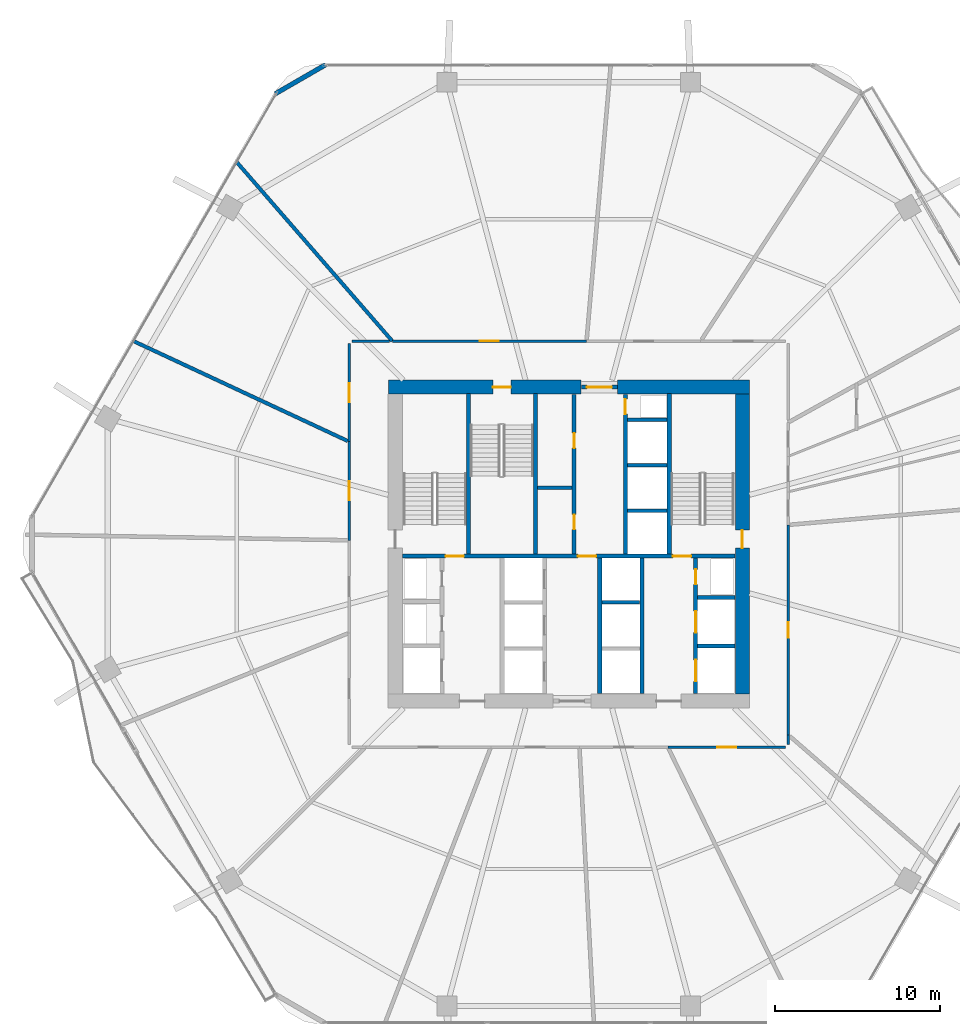
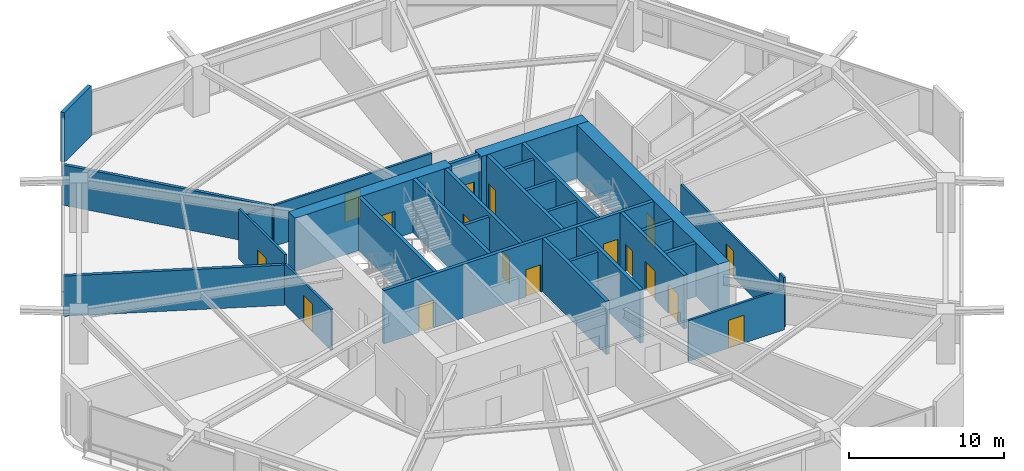
# One storey, part 23 of 27: 30 walls, 17 doors, 17 openings.
"""IFC4 building model written with IfcOpenShell, lengths in metres."""

import ifcopenshell
import ifcopenshell.guid

model = None  # the IFC model being written
_history = None  # IfcOwnerHistory: only IFC2X3 demands one
_inside = {}  # id of a spatial element -> (the spatial element, [elements in it])
_under = {}  # id of a project, library or spatial element -> (it, [spatial elements below it])
_declared = {}  # id of a project -> (the project, [libraries it declares])
_typed = {}  # id of a type object -> (the type object, [elements of that type])
_made_of = {}  # id of a material, layer set ... -> (it, [elements and type objects made of it])


def new_model(schema):
    """Start an empty IFC model of exactly this schema.

    Asked for "IFC4X3", IfcOpenShell would pick the latest addendum, in which some entities
    have other attributes; the version numbers below select the first issue.
    IFC2X3 requires an IfcOwnerHistory on every rooted entity: one is made here for all.
    """
    global model, _history
    if schema == "IFC4X3":
        model = ifcopenshell.file(schema_version=(4, 3, 0, 0))
    else:
        model = ifcopenshell.file(schema=schema)
    _inside.clear()
    _under.clear()
    _declared.clear()
    _typed.clear()
    _made_of.clear()
    _history = None
    if model.schema == "IFC2X3":
        org = make("IfcOrganization", Name="unknown")
        user = make(
            "IfcPersonAndOrganization",
            ThePerson=make("IfcPerson", FamilyName="unknown"),
            TheOrganization=org,
        )
        app = make(
            "IfcApplication",
            ApplicationDeveloper=org,
            Version="unknown",
            ApplicationFullName="unknown",
            ApplicationIdentifier="unknown",
        )
        _history = make(
            "IfcOwnerHistory",
            OwningUser=user,
            OwningApplication=app,
            ChangeAction="ADDED",
            CreationDate=0,
        )
    return model


def make(cls, **values):
    """One entity of the class cls with the attributes given. An attribute that is None is left unset."""
    return model.create_entity(
        cls, **{name: value for name, value in values.items() if value is not None}
    )


def rooted(cls, **values):
    """An entity with a GlobalId (a new one), such as an element, a storey or a relation."""
    return make(cls, GlobalId=ifcopenshell.guid.new(), OwnerHistory=_history, **values)


def si_unit(unit_type, name, prefix=None):
    """IfcSIUnit, for example si_unit("LENGTHUNIT", "METRE", prefix="MILLI")."""
    return make("IfcSIUnit", UnitType=unit_type, Prefix=prefix, Name=name)


def assignment(units):
    """IfcUnitAssignment: the units of a project."""
    return None if units is None else make("IfcUnitAssignment", Units=units)


def point(xyz):
    """IfcCartesianPoint."""
    return None if xyz is None else make("IfcCartesianPoint", Coordinates=xyz)


def direction(xyz):
    """IfcDirection."""
    return None if xyz is None else make("IfcDirection", DirectionRatios=xyz)


def frame(location, z_axis=None, x_axis=None):
    """IfcAxis2Placement3D, a coordinate frame: its origin and axes. An axis left out is left unset."""
    return make(
        "IfcAxis2Placement3D",
        Location=point(location),
        Axis=direction(z_axis),
        RefDirection=direction(x_axis),
    )


def frame_2d(location, x_axis=None):
    """IfcAxis2Placement2D, a coordinate frame in the plane: its origin and x axis."""
    return make(
        "IfcAxis2Placement2D", Location=point(location), RefDirection=direction(x_axis)
    )


def origin():
    """The frame at (0, 0, 0) with its axes left unset."""
    return frame((0.0, 0.0, 0.0))


def place(relative_to, where):
    """IfcLocalPlacement: puts the frame where relative to a parent placement (None: the world)."""
    return make(
        "IfcLocalPlacement", PlacementRelTo=relative_to, RelativePlacement=where
    )


def context(
    kind, dimensions, precision=None, world=None, true_north=None, identifier=None
):
    """IfcGeometricRepresentationContext, for example the 3D "Model" context."""
    return make(
        "IfcGeometricRepresentationContext",
        ContextIdentifier=identifier,
        ContextType=kind,
        CoordinateSpaceDimension=dimensions,
        Precision=precision,
        WorldCoordinateSystem=world,
        TrueNorth=true_north,
    )


def subcontext(parent, identifier, kind, view, scale=None):
    """IfcGeometricRepresentationSubContext, for example "Body" below "Model"."""
    return make(
        "IfcGeometricRepresentationSubContext",
        ContextIdentifier=identifier,
        ContextType=kind,
        ParentContext=parent,
        TargetScale=scale,
        TargetView=view,
    )


def project(units=None, contexts=None):
    """IfcProject with its units and contexts."""
    return rooted(
        "IfcProject",
        Name="project",
        RepresentationContexts=contexts,
        UnitsInContext=assignment(units),
    )


def spatial(cls, under=None, at=None, **own):
    """A site, building, storey or space (cls), placed at a placement, below another one or the project."""
    s = rooted(cls, ObjectPlacement=at, **own)
    if under is not None:
        _under.setdefault(under.id(), (under, []))[1].append(s)
    return s


def profile(cls, at=None, kind="AREA", **sizes):
    """A parametric profile (cls). Its sizes go by their IFC names, for example OverallWidth=200.0."""
    return make(cls, ProfileType=kind, Position=at, **sizes)


def rectangle(**sizes):
    """IfcRectangleProfileDef."""
    return profile("IfcRectangleProfileDef", **sizes)


def extrude(swept, where, along, depth):
    """IfcExtrudedAreaSolid: the profile swept, set in the frame where, extruded along a direction by depth."""
    return make(
        "IfcExtrudedAreaSolid",
        SweptArea=swept,
        Position=where,
        ExtrudedDirection=direction(along),
        Depth=depth,
    )


def shape(context_of_items, identifier, shape_type, items):
    """IfcShapeRepresentation: the items that make up one representation, for example the "Body"."""
    return make(
        "IfcShapeRepresentation",
        ContextOfItems=context_of_items,
        RepresentationIdentifier=identifier,
        RepresentationType=shape_type,
        Items=items,
    )


def material(Name=None, Category=None):
    """IfcMaterial."""
    return make("IfcMaterial", Name=Name, Category=Category)


def layer(
    of_material, thickness, ventilated=None, Name=None, Category=None, Priority=None
):
    """IfcMaterialLayer: one layer of a wall or slab, of a material (None: an air gap)."""
    return make(
        "IfcMaterialLayer",
        Material=of_material,
        LayerThickness=thickness,
        IsVentilated=ventilated,
        Name=Name,
        Category=Category,
        Priority=Priority,
    )


def layer_set(layers, Name=None):
    """IfcMaterialLayerSet."""
    return make("IfcMaterialLayerSet", MaterialLayers=layers, LayerSetName=Name)


def made_of(thing, what):
    """Note that an element or type object is made of a material, layer set ...; save() writes the relation."""
    if what is not None:
        _made_of.setdefault(what.id(), (what, []))[1].append(thing)
    return thing


def type_object(cls, material=None, **own):
    """A type object (cls), such as IfcWallType, which elements share."""
    return made_of(rooted(cls, **own), material)


def element(
    cls,
    number,
    at=None,
    inside=None,
    cuts=None,
    type_object=None,
    material=None,
    context=None,
    identifier="Body",
    shape_type=None,
    held_by="IfcProductDefinitionShape",
    body=None,
    shapes=None,
    **own,
):
    """One element of the class cls, such as IfcWall. Its Tag is "e" and its number.

    at: its placement. inside: the storey or other place that contains it. cuts: it is an
    opening in that element (IfcRelVoidsElement). A single representation is given by context,
    identifier, shape_type and body (its items); several are given by shapes. held_by: the class
    of the entity that holds the representations. save() writes the other relations.
    """
    e = rooted(cls, Tag="e%d" % number, ObjectPlacement=at, **own)
    if body is not None:
        shapes = [shape(context, identifier, shape_type, body)]
    if shapes is not None:
        e.Representation = make(held_by, Representations=shapes)
    if inside is not None:
        _inside.setdefault(inside.id(), (inside, []))[1].append(e)
    if cuts is not None:
        rooted(
            "IfcRelVoidsElement", RelatingBuildingElement=cuts, RelatedOpeningElement=e
        )
    if type_object is not None:
        _typed.setdefault(type_object.id(), (type_object, []))[1].append(e)
    return made_of(e, material)


def fill(opening, filler):
    """IfcRelFillsElement: the door or window that sits in an opening."""
    return rooted(
        "IfcRelFillsElement",
        RelatingOpeningElement=opening,
        RelatedBuildingElement=filler,
    )


def aggregate(whole, parts):
    """IfcRelAggregates: a whole, such as a stair, and the parts it consists of."""
    return rooted("IfcRelAggregates", RelatingObject=whole, RelatedObjects=parts)


def save(model, path):
    """Write the relations noted so far, then the file.

    IfcRelAggregates (storeys below a building ...), IfcRelContainedInSpatialStructure (elements
    in a storey), IfcRelDefinesByType, IfcRelAssociatesMaterial and IfcRelDeclares: one each for
    every whole, place, type object, material and project.
    """
    for whole, parts in _under.values():
        aggregate(whole, parts)
    for where, things in _inside.values():
        rooted(
            "IfcRelContainedInSpatialStructure",
            RelatedElements=things,
            RelatingStructure=where,
        )
    for kind, things in _typed.values():
        rooted("IfcRelDefinesByType", RelatedObjects=things, RelatingType=kind)
    for what, things in _made_of.values():
        rooted("IfcRelAssociatesMaterial", RelatedObjects=things, RelatingMaterial=what)
    for by, libraries in _declared.values():
        rooted("IfcRelDeclares", RelatingContext=by, RelatedDefinitions=libraries)
    model.write(path)


model = new_model("IFC4")

# Units and contexts
model_context = context("Model", 3, precision=1e-05, world=origin(), true_north=direction((0.0, 1.0)))
body_context = subcontext(model_context, "Body", "Model", "MODEL_VIEW")
ifc_project = project(units=[si_unit("LENGTHUNIT", "METRE"), si_unit("AREAUNIT", "SQUARE_METRE"), si_unit("VOLUMEUNIT", "CUBIC_METRE"), si_unit("PLANEANGLEUNIT", "RADIAN"), si_unit("MASSUNIT", "GRAM", prefix="KILO")], contexts=[model_context])

# Site, building, storey
site_placement = place(None, origin())
site = spatial("IfcSite", under=ifc_project, at=site_placement, CompositionType="ELEMENT")
building_placement = place(site_placement, origin())
building = spatial("IfcBuilding", under=site, at=building_placement, Name="Zuhravey Tower", CompositionType="ELEMENT")
storey_placement = place(building_placement, frame((0.0, 0.0, 12.0)))
storey = spatial("IfcBuildingStorey", under=building, at=storey_placement, Name="L03", CompositionType="ELEMENT", Elevation=12.0)

# Wall
ifc_material_1 = material(Name="Concrete C60/75", Category="concrete")
ifc_layer_1 = layer(ifc_material_1, 0.85009765625)
ifc_layer_set_1 = layer_set([ifc_layer_1], Name="Concrete C60/75")
wall_type_1 = type_object("IfcWallType", Name="Core Shear Wall 850", PredefinedType="SHEAR", material=ifc_layer_set_1)
wall_1_placement = place(storey_placement, frame((46.925048828125, 41.5, 0.0), z_axis=(0.0, 0.0, 1.0), x_axis=(-1.0, 0.0, 0.0)))
element("IfcWall", 1, at=wall_1_placement, inside=storey, type_object=wall_type_1, Name="L03 North-East Core Shear Wall CW85", PredefinedType="SHEAR", context=body_context, shape_type="SweptSolid", body=[
    extrude(rectangle(XDim=7.97509765625, YDim=0.85009765625, at=frame_2d((3.987548828125, 0.0))), origin(), (0.0, 0.0, 1.0), 4.199951171875),
])

# Wall, opening, door
wall_2_placement = place(storey_placement, frame((36.75, 41.5, 0.0), z_axis=(0.0, 0.0, 1.0), x_axis=(-1.0, 0.0, 0.0)))
wall_2 = element("IfcWall", 2, at=wall_2_placement, inside=storey, type_object=wall_type_1, Name="L03 North-West Core Shear Wall CW85", PredefinedType="SHEAR", context=body_context, shape_type="SweptSolid", body=[
    extrude(rectangle(XDim=11.675048828125, YDim=0.85009765625, at=frame_2d((5.83740234375, 0.0))), origin(), (0.0, 0.0, 1.0), 4.199951171875),
])
opening_1_placement = place(wall_2_placement, frame((4.25, 0.0, 0.0)))
opening_1 = element("IfcOpeningElement", 3, at=opening_1_placement, cuts=wall_2, Name="Opening STD1", PredefinedType="OPENING", context=body_context, shape_type="SweptSolid", body=[
    extrude(rectangle(XDim=1.10009765625, YDim=2.14990234375, at=frame_2d((0.550048828125, 1.074951171875))), frame((0.0, 0.43701171875, 0.0), z_axis=(0.0, -1.0, 0.0), x_axis=(1.0, 0.0, 0.0)), (0.0, 0.0, 1.0), 0.8740234375),
])
ifc_material_2 = material(Name="Galvanised fire-rated steel leaf", Category="steel")
door_type_1 = type_object("IfcDoorType", Name="Protected Stair Fire Door 1100x2150", OperationType="NOTDEFINED", PredefinedType="USERDEFINED", material=ifc_material_2)
door_1_placement = place(opening_1_placement, origin())
door_1 = element("IfcDoor", 4, at=door_1_placement, inside=storey, type_object=door_type_1, Name="L03 Stair ST3 Door", ObjectType="EXITDOOR", OperationType="SINGLE_SWING_RIGHT", OverallHeight=2.14990234375, OverallWidth=1.10009765625, PredefinedType="USERDEFINED", context=body_context, shape_type="SweptSolid", body=[
    extrude(rectangle(XDim=1.10009765625, YDim=2.14990234375, at=frame_2d((0.550048828125, 1.074951171875))), frame((0.0, 0.02490234375, 0.0), z_axis=(0.0, -1.0, 0.0), x_axis=(1.0, 0.0, 0.0)), (0.0, 0.0, 1.0), 0.050048828125),
])
fill(opening_1, door_1)

wall_3_placement = place(storey_placement, frame((46.5, 22.925048828125, 0.0), z_axis=(0.0, 0.0, 1.0), x_axis=(0.0, 1.0, 0.0)))
wall_3 = element("IfcWall", 5, at=wall_3_placement, inside=storey, type_object=wall_type_1, Name="L03 East Core Shear Wall CW85", PredefinedType="SHEAR", context=body_context, shape_type="SweptSolid", body=[
    extrude(rectangle(XDim=18.14990234375, YDim=0.85009765625, at=frame_2d((9.074951171875, 0.0))), origin(), (0.0, 0.0, 1.0), 4.199951171875),
])
opening_2_placement = place(wall_3_placement, frame((8.824951171875, 0.0, 0.0)))
opening_2 = element("IfcOpeningElement", 6, at=opening_2_placement, cuts=wall_3, Name="Opening STD1", PredefinedType="OPENING", context=body_context, shape_type="SweptSolid", body=[
    extrude(rectangle(XDim=1.10009765625, YDim=2.14990234375, at=frame_2d((0.550048828125, 1.074951171875))), frame((0.0, 0.43701171875, 0.0), z_axis=(0.0, -1.0, 0.0), x_axis=(1.0, 0.0, 0.0)), (0.0, 0.0, 1.0), 0.8740234375),
])
door_2_placement = place(opening_2_placement, origin())
door_2 = element("IfcDoor", 7, at=door_2_placement, inside=storey, type_object=door_type_1, Name="L03 Stair ST2 Door", ObjectType="EXITDOOR", OperationType="SINGLE_SWING_LEFT", OverallHeight=2.14990234375, OverallWidth=1.10009765625, PredefinedType="USERDEFINED", context=body_context, shape_type="SweptSolid", body=[
    extrude(rectangle(XDim=1.10009765625, YDim=2.14990234375, at=frame_2d((0.550048828125, 1.074951171875))), frame((0.0, 0.02490234375, 0.0), z_axis=(0.0, -1.0, 0.0), x_axis=(1.0, 0.0, 0.0)), (0.0, 0.0, 1.0), 0.050048828125),
])
fill(opening_2, door_2)

ifc_material_3 = material(Name="Gypsum fire-rated stud partition")
ifc_layer_2 = layer(ifc_material_3, 0.159912109375)
ifc_layer_set_2 = layer_set([ifc_layer_2], Name="Gypsum fire-rated stud partition")
wall_type_2 = type_object("IfcWallType", Name="Corridor Fire Partition 160", PredefinedType="PARTITIONING", material=ifc_layer_set_2)
wall_4_placement = place(storey_placement, frame((37.07470703125, 44.284912109375, 0.0), z_axis=(0.0, 0.0, 1.0), x_axis=(-1.0, 0.0, 0.0)))
wall_4 = element("IfcWall", 8, at=wall_4_placement, inside=storey, type_object=wall_type_2, Name="L03 IW16 Partition 025", PredefinedType="PARTITIONING", context=body_context, shape_type="SweptSolid", body=[
    extrude(rectangle(XDim=11.75390625, YDim=0.159912109375, at=frame_2d((5.876953125, 0.0))), origin(), (0.0, 0.0, 1.0), 3.219970703125),
])
opening_3_placement = place(wall_4_placement, frame((5.302001953125, 0.0, 0.0)))
opening_3 = element("IfcOpeningElement", 9, at=opening_3_placement, cuts=wall_4, Name="Opening CLD1", PredefinedType="OPENING", context=body_context, shape_type="SweptSolid", body=[
    extrude(rectangle(XDim=1.14990234375, YDim=2.199951171875, at=frame_2d((0.574951171875, 1.10009765625))), frame((0.0, 0.092041015625, 0.0), z_axis=(0.0, -1.0, 0.0), x_axis=(1.0, 0.0, 0.0)), (0.0, 0.0, 1.0), 0.183837890625),
])
ifc_material_4 = material(Name="Acoustic timber leaf with vision lite", Category="wood")
door_type_2 = type_object("IfcDoorType", Name="Classroom Acoustic Door 1150x2200", OperationType="NOTDEFINED", PredefinedType="DOOR", material=ifc_material_4)
door_3_placement = place(opening_3_placement, frame((1.14990234375, 0.0, 0.0), z_axis=(0.0, 0.0, 1.0), x_axis=(-1.0, 0.0, 0.0)))
door_3 = element("IfcDoor", 10, at=door_3_placement, inside=storey, type_object=door_type_2, Name="L03 Door 025.1", OperationType="SINGLE_SWING_RIGHT", OverallHeight=2.199951171875, OverallWidth=1.14990234375, PredefinedType="DOOR", context=body_context, shape_type="SweptSolid", body=[
    extrude(rectangle(XDim=1.14990234375, YDim=2.199951171875, at=frame_2d((0.574951171875, 1.10009765625))), frame((0.0, 0.02490234375, 0.0), z_axis=(0.0, -1.0, 0.0), x_axis=(1.0, 0.0, 0.0)), (0.0, 0.0, 1.0), 0.050048828125),
])
fill(opening_3, door_3)

wall_5_placement = place(storey_placement, frame((22.715087890625, 44.125, 0.0), z_axis=(0.0, 0.0, 1.0), x_axis=(0.0, -1.0, 0.0)))
wall_5 = element("IfcWall", 11, at=wall_5_placement, inside=storey, type_object=wall_type_2, Name="L03 IW16 Partition 026", PredefinedType="PARTITIONING", context=body_context, shape_type="SweptSolid", body=[
    extrude(rectangle(XDim=5.93017578125, YDim=0.159912109375, at=frame_2d((2.965087890625, 0.0))), origin(), (0.0, 0.0, 1.0), 3.919921875),
])
opening_4_placement = place(wall_5_placement, frame((2.39013671875, 0.0, 0.0)))
opening_4 = element("IfcOpeningElement", 12, at=opening_4_placement, cuts=wall_5, Name="Opening CLD1", PredefinedType="OPENING", context=body_context, shape_type="SweptSolid", body=[
    extrude(rectangle(XDim=1.14990234375, YDim=2.199951171875, at=frame_2d((0.574951171875, 1.10009765625))), frame((0.0, 0.092041015625, 0.0), z_axis=(0.0, -1.0, 0.0), x_axis=(1.0, 0.0, 0.0)), (0.0, 0.0, 1.0), 0.183837890625),
])
door_4_placement = place(opening_4_placement, frame((1.14990234375, 0.0, 0.0), z_axis=(0.0, 0.0, 1.0), x_axis=(-1.0, 0.0, 0.0)))
door_4 = element("IfcDoor", 13, at=door_4_placement, inside=storey, type_object=door_type_2, Name="L03 Door 026.1", OperationType="SINGLE_SWING_LEFT", OverallHeight=2.199951171875, OverallWidth=1.14990234375, PredefinedType="DOOR", context=body_context, shape_type="SweptSolid", body=[
    extrude(rectangle(XDim=1.14990234375, YDim=2.199951171875, at=frame_2d((0.574951171875, 1.10009765625))), frame((0.0, 0.02490234375, 0.0), z_axis=(0.0, -1.0, 0.0), x_axis=(1.0, 0.0, 0.0)), (0.0, 0.0, 1.0), 0.050048828125),
])
fill(opening_4, door_4)

wall_6_placement = place(storey_placement, frame((22.715087890625, 38.19482421875, 0.0), z_axis=(0.0, 0.0, 1.0), x_axis=(0.0, -1.0, 0.0)))
wall_6 = element("IfcWall", 14, at=wall_6_placement, inside=storey, type_object=wall_type_2, Name="L03 IW16 Partition 027", PredefinedType="PARTITIONING", context=body_context, shape_type="SweptSolid", body=[
    extrude(rectangle(XDim=5.962890625, YDim=0.159912109375, at=frame_2d((2.9814453125, 0.0))), origin(), (0.0, 0.0, 1.0), 3.219970703125),
])
opening_5_placement = place(wall_6_placement, frame((2.406494140625, 0.0, 0.0)))
opening_5 = element("IfcOpeningElement", 15, at=opening_5_placement, cuts=wall_6, Name="Opening CLD1", PredefinedType="OPENING", context=body_context, shape_type="SweptSolid", body=[
    extrude(rectangle(XDim=1.14990234375, YDim=2.199951171875, at=frame_2d((0.574951171875, 1.10009765625))), frame((0.0, 0.092041015625, 0.0), z_axis=(0.0, -1.0, 0.0), x_axis=(1.0, 0.0, 0.0)), (0.0, 0.0, 1.0), 0.183837890625),
])
door_5_placement = place(opening_5_placement, frame((1.14990234375, 0.0, 0.0), z_axis=(0.0, 0.0, 1.0), x_axis=(-1.0, 0.0, 0.0)))
door_5 = element("IfcDoor", 16, at=door_5_placement, inside=storey, type_object=door_type_2, Name="L03 Door 027.1", OperationType="SINGLE_SWING_RIGHT", OverallHeight=2.199951171875, OverallWidth=1.14990234375, PredefinedType="DOOR", context=body_context, shape_type="SweptSolid", body=[
    extrude(rectangle(XDim=1.14990234375, YDim=2.199951171875, at=frame_2d((0.574951171875, 1.10009765625))), frame((0.0, 0.02490234375, 0.0), z_axis=(0.0, -1.0, 0.0), x_axis=(1.0, 0.0, 0.0)), (0.0, 0.0, 1.0), 0.050048828125),
])
fill(opening_5, door_5)

wall_7_placement = place(storey_placement, frame((41.99169921875, 19.715087890625, 0.0), z_axis=(0.0, 0.0, 1.0), x_axis=(1.0, 0.0, 0.0)))
wall_7 = element("IfcWall", 17, at=wall_7_placement, inside=storey, type_object=wall_type_2, Name="L03 IW16 Partition 033", PredefinedType="PARTITIONING", context=body_context, shape_type="SweptSolid", body=[
    extrude(rectangle(XDim=7.13330078125, YDim=0.159912109375, at=frame_2d((3.566650390625, 0.0))), origin(), (0.0, 0.0, 1.0), 3.219970703125),
])
opening_6_placement = place(wall_7_placement, frame((2.99169921875, 0.0, 0.0)))
opening_6 = element("IfcOpeningElement", 18, at=opening_6_placement, cuts=wall_7, Name="Opening CLD1", PredefinedType="OPENING", context=body_context, shape_type="SweptSolid", body=[
    extrude(rectangle(XDim=1.14990234375, YDim=2.199951171875, at=frame_2d((0.574951171875, 1.10009765625))), frame((0.0, 0.092041015625, 0.0), z_axis=(0.0, -1.0, 0.0), x_axis=(1.0, 0.0, 0.0)), (0.0, 0.0, 1.0), 0.183837890625),
])
door_6_placement = place(opening_6_placement, frame((1.14990234375, 0.0, 0.0), z_axis=(0.0, 0.0, 1.0), x_axis=(-1.0, 0.0, 0.0)))
door_6 = element("IfcDoor", 19, at=door_6_placement, inside=storey, type_object=door_type_2, Name="L03 Door 033.1", OperationType="SINGLE_SWING_RIGHT", OverallHeight=2.199951171875, OverallWidth=1.14990234375, PredefinedType="DOOR", context=body_context, shape_type="SweptSolid", body=[
    extrude(rectangle(XDim=1.14990234375, YDim=2.199951171875, at=frame_2d((0.574951171875, 1.10009765625))), frame((0.0, 0.02490234375, 0.0), z_axis=(0.0, -1.0, 0.0), x_axis=(1.0, 0.0, 0.0)), (0.0, 0.0, 1.0), 0.050048828125),
])
fill(opening_6, door_6)

wall_8_placement = place(storey_placement, frame((49.284912109375, 20.451416015625, 0.0), z_axis=(0.0, 0.0, 1.0), x_axis=(0.0, 1.0, 0.0)))
wall_8 = element("IfcWall", 20, at=wall_8_placement, inside=storey, type_object=wall_type_2, Name="L03 IW16 Partition 034", PredefinedType="PARTITIONING", context=body_context, shape_type="SweptSolid", body=[
    extrude(rectangle(XDim=12.7109375, YDim=0.159912109375, at=frame_2d((6.35546875, 0.0))), origin(), (0.0, 0.0, 1.0), 3.219970703125),
])
opening_7_placement = place(wall_8_placement, frame((5.88037109375, 0.0, 0.0)))
opening_7 = element("IfcOpeningElement", 21, at=opening_7_placement, cuts=wall_8, Name="Opening IND1", PredefinedType="OPENING", context=body_context, shape_type="SweptSolid", body=[
    extrude(rectangle(XDim=0.949951171875, YDim=2.10009765625, at=frame_2d((0.47509765625, 1.050048828125))), frame((0.0, 0.092041015625, 0.0), z_axis=(0.0, -1.0, 0.0), x_axis=(1.0, 0.0, 0.0)), (0.0, 0.0, 1.0), 0.183837890625),
])
ifc_material_5 = material(Name="Painted engineered timber leaf", Category="wood")
door_type_3 = type_object("IfcDoorType", Name="Internal Room & Bedroom Door 950x2100", OperationType="NOTDEFINED", PredefinedType="DOOR", material=ifc_material_5)
door_7_placement = place(opening_7_placement, frame((0.949951171875, 0.0, 0.0), z_axis=(0.0, 0.0, 1.0), x_axis=(-1.0, 0.0, 0.0)))
door_7 = element("IfcDoor", 22, at=door_7_placement, inside=storey, type_object=door_type_3, Name="L03 Door 034.1", OperationType="SINGLE_SWING_LEFT", OverallHeight=2.10009765625, OverallWidth=0.949951171875, PredefinedType="DOOR", context=body_context, shape_type="SweptSolid", body=[
    extrude(rectangle(XDim=0.949951171875, YDim=2.10009765625, at=frame_2d((0.47509765625, 1.050048828125))), frame((0.0, 0.02490234375, 0.0), z_axis=(0.0, -1.0, 0.0), x_axis=(1.0, 0.0, 0.0)), (0.0, 0.0, 1.0), 0.050048828125),
])
fill(opening_7, door_7)

# Walls
wall_9_placement = place(storey_placement, frame((25.164306640625, 44.284912109375, 0.0), z_axis=(0.0, 0.0, 1.0), x_axis=(-1.0, 0.0, 0.0)))
element("IfcWall", 23, at=wall_9_placement, inside=storey, type_object=wall_type_2, Name="L03 IW16 Partition 054", PredefinedType="PARTITIONING", context=body_context, shape_type="SweptSolid", body=[
    extrude(rectangle(XDim=2.289306640625, YDim=0.159912109375, at=frame_2d((1.14453125, 0.0))), origin(), (0.0, 0.0, 1.0), 3.219970703125),
])
wall_10_placement = place(storey_placement, frame((49.284912109375, 19.875, 0.0), z_axis=(0.0, 0.0, 1.0), x_axis=(0.0, 1.0, 0.0)))
element("IfcWall", 24, at=wall_10_placement, inside=storey, type_object=wall_type_2, Name="L03 IW16 Partition 062", PredefinedType="PARTITIONING", context=body_context, shape_type="SweptSolid", body=[
    extrude(rectangle(XDim=0.576416015625, YDim=0.159912109375, at=frame_2d((0.2880859375, 0.0))), origin(), (0.0, 0.0, 1.0), 3.919921875),
])
ifc_material_6 = material(Name="Precast concrete C40/50", Category="concrete")
ifc_layer_3 = layer(ifc_material_6, 0.280029296875)
ifc_layer_set_3 = layer_set([ifc_layer_3], Name="Precast concrete C40/50")
wall_type_3 = type_object("IfcWallType", Name="Crown Architectural Wall 280", PredefinedType="SOLIDWALL", material=ifc_layer_set_3)
wall_11_placement = place(storey_placement, frame((18.23876953125, 59.24853515625, 0.0), z_axis=(0.0, 0.0, 1.0), x_axis=(0.866007452331, 0.500031091541, 0.0)))
element("IfcWall", 25, at=wall_11_placement, inside=storey, type_object=wall_type_3, Name="L03 Rounded Corner Closure Wall EW28-08", PredefinedType="SOLIDWALL", context=body_context, shape_type="SweptSolid", body=[
    extrude(rectangle(XDim=3.514892578125, YDim=0.280029296875, at=frame_2d((1.75732421875, 0.0))), origin(), (0.0, 0.0, 1.0), 3.919921875),
])

# Wall, opening, door
ifc_material_7 = material(Name="Concrete C50/60", Category="concrete")
ifc_layer_4 = layer(ifc_material_7, 0.25)
ifc_layer_set_4 = layer_set([ifc_layer_4], Name="Concrete C50/60")
wall_type_4 = type_object("IfcWallType", Name="Firefighting Shaft & Stair Wall 250", PredefinedType="SOLIDWALL", material=ifc_layer_set_4)
wall_12_placement = place(storey_placement, frame((36.760009765625, 41.5, 0.0), z_axis=(0.0, 0.0, 1.0), x_axis=(1.0, 0.0, 0.0)))
wall_12 = element("IfcWall", 26, at=wall_12_placement, inside=storey, type_object=wall_type_4, Name="L03 FW25 Shaft Wall 002", PredefinedType="SOLIDWALL", context=body_context, shape_type="SweptSolid", body=[
    extrude(rectangle(XDim=2.179931640625, YDim=0.25, at=frame_2d((1.08984375, 0.0))), origin(), (0.0, 0.0, 1.0), 4.199951171875),
])
opening_8_placement = place(wall_12_placement, frame((0.340087890625, 0.0, 0.0)))
opening_8 = element("IfcOpeningElement", 27, at=opening_8_placement, cuts=wall_12, Name="Opening FFD1", PredefinedType="OPENING", context=body_context, shape_type="SweptSolid", body=[
    extrude(rectangle(XDim=1.5, YDim=2.14990234375, at=frame_2d((0.75, 1.074951171875))), frame((0.0, 0.136962890625, 0.0), z_axis=(0.0, -1.0, 0.0), x_axis=(1.0, 0.0, 0.0)), (0.0, 0.0, 1.0), 0.27392578125),
])
door_type_4 = type_object("IfcDoorType", Name="Firefighting Lobby Double Door 1500x2150", OperationType="DOUBLE_DOOR_SINGLE_SWING", PredefinedType="DOOR", material=ifc_material_2)
door_8_placement = place(opening_8_placement, origin())
door_8 = element("IfcDoor", 28, at=door_8_placement, inside=storey, type_object=door_type_4, Name="L03 North Lift Lobby Exit Door", OperationType="DOUBLE_DOOR_SINGLE_SWING", OverallHeight=2.14990234375, OverallWidth=1.5, PredefinedType="DOOR", context=body_context, shape_type="SweptSolid", body=[
    extrude(rectangle(XDim=1.5, YDim=2.14990234375, at=frame_2d((0.75, 1.074951171875))), frame((0.0, 0.02490234375, 0.0), z_axis=(0.0, -1.0, 0.0), x_axis=(1.0, 0.0, 0.0)), (0.0, 0.0, 1.0), 0.050048828125),
])
fill(opening_8, door_8)

# Wall, openings, doors
wall_13_placement = place(storey_placement, frame((25.949951171875, 31.27490234375, 0.0), z_axis=(0.0, 0.0, 1.0), x_axis=(1.0, 0.0, 0.0)))
wall_13 = element("IfcWall", 29, at=wall_13_placement, inside=storey, type_object=wall_type_4, Name="L03 FW25 Shaft Wall 003", PredefinedType="SOLIDWALL", context=body_context, shape_type="SweptSolid", body=[
    extrude(rectangle(XDim=20.10009765625, YDim=0.25, at=frame_2d((10.050048828125, 0.0))), origin(), (0.0, 0.0, 1.0), 4.199951171875),
])
opening_9_placement = place(wall_13_placement, frame((2.60009765625, 0.0, 0.0)))
opening_9 = element("IfcOpeningElement", 30, at=opening_9_placement, cuts=wall_13, Name="Opening STD1", PredefinedType="OPENING", context=body_context, shape_type="SweptSolid", body=[
    extrude(rectangle(XDim=1.10009765625, YDim=2.14990234375, at=frame_2d((0.550048828125, 1.074951171875))), frame((0.0, 0.136962890625, 0.0), z_axis=(0.0, -1.0, 0.0), x_axis=(1.0, 0.0, 0.0)), (0.0, 0.0, 1.0), 0.27392578125),
])
opening_10_placement = place(wall_13_placement, frame((10.60009765625, 0.0, 0.0)))
opening_10 = element("IfcOpeningElement", 31, at=opening_10_placement, cuts=wall_13, Name="Opening STD1", PredefinedType="OPENING", context=body_context, shape_type="SweptSolid", body=[
    extrude(rectangle(XDim=1.10009765625, YDim=2.14990234375, at=frame_2d((0.550048828125, 1.074951171875))), frame((0.0, 0.136962890625, 0.0), z_axis=(0.0, -1.0, 0.0), x_axis=(1.0, 0.0, 0.0)), (0.0, 0.0, 1.0), 0.27392578125),
])
opening_11_placement = place(wall_13_placement, frame((16.35009765625, 0.0, 0.0)))
opening_11 = element("IfcOpeningElement", 32, at=opening_11_placement, cuts=wall_13, Name="Opening STD1", PredefinedType="OPENING", context=body_context, shape_type="SweptSolid", body=[
    extrude(rectangle(XDim=1.10009765625, YDim=2.14990234375, at=frame_2d((0.550048828125, 1.074951171875))), frame((0.0, 0.136962890625, 0.0), z_axis=(0.0, -1.0, 0.0), x_axis=(1.0, 0.0, 0.0)), (0.0, 0.0, 1.0), 0.27392578125),
])
door_9_placement = place(opening_9_placement, origin())
door_9 = element("IfcDoor", 33, at=door_9_placement, inside=storey, type_object=door_type_1, Name="L03 FFL-W to ST1 Door", ObjectType="EXITDOOR", OperationType="SINGLE_SWING_LEFT", OverallHeight=2.14990234375, OverallWidth=1.10009765625, PredefinedType="USERDEFINED", context=body_context, shape_type="SweptSolid", body=[
    extrude(rectangle(XDim=1.10009765625, YDim=2.14990234375, at=frame_2d((0.550048828125, 1.074951171875))), frame((0.0, 0.02490234375, 0.0), z_axis=(0.0, -1.0, 0.0), x_axis=(1.0, 0.0, 0.0)), (0.0, 0.0, 1.0), 0.050048828125),
])
fill(opening_9, door_9)
door_10_placement = place(opening_10_placement, origin())
door_10 = element("IfcDoor", 34, at=door_10_placement, inside=storey, type_object=door_type_1, Name="L03 Core Lobby Link Door", ObjectType="EXITDOOR", OperationType="SINGLE_SWING_RIGHT", OverallHeight=2.14990234375, OverallWidth=1.10009765625, PredefinedType="USERDEFINED", context=body_context, shape_type="SweptSolid", body=[
    extrude(rectangle(XDim=1.10009765625, YDim=2.14990234375, at=frame_2d((0.550048828125, 1.074951171875))), frame((0.0, 0.02490234375, 0.0), z_axis=(0.0, -1.0, 0.0), x_axis=(1.0, 0.0, 0.0)), (0.0, 0.0, 1.0), 0.050048828125),
])
fill(opening_10, door_10)
door_11_placement = place(opening_11_placement, origin())
door_11 = element("IfcDoor", 35, at=door_11_placement, inside=storey, type_object=door_type_1, Name="L03 FFL-E to ST2 Door", ObjectType="EXITDOOR", OperationType="SINGLE_SWING_LEFT", OverallHeight=2.14990234375, OverallWidth=1.10009765625, PredefinedType="USERDEFINED", context=body_context, shape_type="SweptSolid", body=[
    extrude(rectangle(XDim=1.10009765625, YDim=2.14990234375, at=frame_2d((0.550048828125, 1.074951171875))), frame((0.0, 0.02490234375, 0.0), z_axis=(0.0, -1.0, 0.0), x_axis=(1.0, 0.0, 0.0)), (0.0, 0.0, 1.0), 0.050048828125),
])
fill(opening_11, door_11)

# Walls
for number, where, z_axis, x_axis, name in (
    (36, (29.925048828125, 31.39990234375, 0.0), (0.0, 0.0, 1.0), (0.0, 1.0, 0.0), "L03 FW25 Shaft Wall 004"),
    (37, (33.97509765625, 31.39990234375, 0.0), (0.0, 0.0, 1.0), (0.0, 1.0, 0.0), "L03 FW25 Shaft Wall 005"),
    (38, (42.074951171875, 31.39990234375, 0.0), (0.0, 0.0, 1.0), (0.0, 1.0, 0.0), "L03 FW25 Shaft Wall 006"),
):
    element("IfcWall", number, at=place(storey_placement, frame(where, z_axis=z_axis, x_axis=x_axis)), inside=storey, type_object=wall_type_4, Name=name, PredefinedType="SOLIDWALL", context=body_context, shape_type="SweptSolid", body=[
        extrude(rectangle(XDim=9.7001953125, YDim=0.25, at=frame_2d((4.85009765625, 0.0))), origin(), (0.0, 0.0, 1.0), 4.199951171875),
    ])

# Wall, openings, doors
wall_14_placement = place(storey_placement, frame((36.324951171875, 31.39990234375, 0.0), z_axis=(0.0, 0.0, 1.0), x_axis=(0.0, 1.0, 0.0)))
wall_14 = element("IfcWall", 39, at=wall_14_placement, inside=storey, type_object=wall_type_4, Name="L03 FW25 Shaft Wall 007", PredefinedType="SOLIDWALL", context=body_context, shape_type="SweptSolid", body=[
    extrude(rectangle(XDim=9.650146484375, YDim=0.25, at=frame_2d((4.8251953125, 0.0))), origin(), (0.0, 0.0, 1.0), 4.199951171875),
])
opening_12_placement = place(wall_14_placement, frame((1.489990234375, 0.0, 0.0)))
opening_12 = element("IfcOpeningElement", 40, at=opening_12_placement, cuts=wall_14, Name="Opening RSD1", PredefinedType="OPENING", context=body_context, shape_type="SweptSolid", body=[
    extrude(rectangle(XDim=0.89990234375, YDim=2.10009765625, at=frame_2d((0.449951171875, 1.050048828125))), frame((0.0, 0.136962890625, 0.0), z_axis=(0.0, -1.0, 0.0), x_axis=(1.0, 0.0, 0.0)), (0.0, 0.0, 1.0), 0.27392578125),
])
opening_13_placement = place(wall_14_placement, frame((6.409912109375, 0.0, 0.0)))
opening_13 = element("IfcOpeningElement", 41, at=opening_13_placement, cuts=wall_14, Name="Opening RSD1", PredefinedType="OPENING", context=body_context, shape_type="SweptSolid", body=[
    extrude(rectangle(XDim=0.89990234375, YDim=2.10009765625, at=frame_2d((0.449951171875, 1.050048828125))), frame((0.0, 0.136962890625, 0.0), z_axis=(0.0, -1.0, 0.0), x_axis=(1.0, 0.0, 0.0)), (0.0, 0.0, 1.0), 0.27392578125),
])
ifc_material_8 = material(Name="Galvanised fire-rated steel access leaf", Category="steel")
door_type_5 = type_object("IfcDoorType", Name="Riser & Shaft Access Fire Door 900x2100", OperationType="NOTDEFINED", PredefinedType="DOOR", material=ifc_material_8)
door_12_placement = place(opening_12_placement, origin())
door_12 = element("IfcDoor", 42, at=door_12_placement, inside=storey, type_object=door_type_5, Name="L03 Core Cleaner Store Door", OperationType="SINGLE_SWING_RIGHT", OverallHeight=2.10009765625, OverallWidth=0.89990234375, PredefinedType="DOOR", context=body_context, shape_type="SweptSolid", body=[
    extrude(rectangle(XDim=0.89990234375, YDim=2.10009765625, at=frame_2d((0.449951171875, 1.050048828125))), frame((0.0, 0.02490234375, 0.0), z_axis=(0.0, -1.0, 0.0), x_axis=(1.0, 0.0, 0.0)), (0.0, 0.0, 1.0), 0.050048828125),
])
fill(opening_12, door_12)
door_13_placement = place(opening_13_placement, origin())
door_13 = element("IfcDoor", 43, at=door_13_placement, inside=storey, type_object=door_type_5, Name="L03 Core Pantry and Tea Room Door", OperationType="SINGLE_SWING_LEFT", OverallHeight=2.10009765625, OverallWidth=0.89990234375, PredefinedType="DOOR", context=body_context, shape_type="SweptSolid", body=[
    extrude(rectangle(XDim=0.89990234375, YDim=2.10009765625, at=frame_2d((0.449951171875, 1.050048828125))), frame((0.0, 0.02490234375, 0.0), z_axis=(0.0, -1.0, 0.0), x_axis=(1.0, 0.0, 0.0)), (0.0, 0.0, 1.0), 0.050048828125),
])
fill(opening_13, door_13)

# Wall, opening, door
wall_15_placement = place(storey_placement, frame((39.425048828125, 31.39990234375, 0.0), z_axis=(0.0, 0.0, 1.0), x_axis=(0.0, 1.0, 0.0)))
wall_15 = element("IfcWall", 44, at=wall_15_placement, inside=storey, type_object=wall_type_4, Name="L03 FW25 Shaft Wall 008", PredefinedType="SOLIDWALL", context=body_context, shape_type="SweptSolid", body=[
    extrude(rectangle(XDim=9.650146484375, YDim=0.25, at=frame_2d((4.8251953125, 0.0))), origin(), (0.0, 0.0, 1.0), 4.199951171875),
])
opening_14_placement = place(wall_15_placement, frame((8.469970703125, 0.0, 0.0)))
opening_14 = element("IfcOpeningElement", 45, at=opening_14_placement, cuts=wall_15, Name="Opening RSD1", PredefinedType="OPENING", context=body_context, shape_type="SweptSolid", body=[
    extrude(rectangle(XDim=0.89990234375, YDim=2.10009765625, at=frame_2d((0.449951171875, 1.050048828125))), frame((0.0, 0.136962890625, 0.0), z_axis=(0.0, -1.0, 0.0), x_axis=(1.0, 0.0, 0.0)), (0.0, 0.0, 1.0), 0.27392578125),
])
door_14_placement = place(opening_14_placement, origin())
door_14 = element("IfcDoor", 46, at=door_14_placement, inside=storey, type_object=door_type_5, Name="L03 North Riser Door", OperationType="SINGLE_SWING_RIGHT", OverallHeight=2.10009765625, OverallWidth=0.89990234375, PredefinedType="DOOR", context=body_context, shape_type="SweptSolid", body=[
    extrude(rectangle(XDim=0.89990234375, YDim=2.10009765625, at=frame_2d((0.449951171875, 1.050048828125))), frame((0.0, 0.02490234375, 0.0), z_axis=(0.0, -1.0, 0.0), x_axis=(1.0, 0.0, 0.0)), (0.0, 0.0, 1.0), 0.050048828125),
])
fill(opening_14, door_14)

# Walls
for number, where, z_axis, x_axis, name in (
    (47, (37.875, 22.949951171875, 0.0), (0.0, 0.0, 1.0), (0.0, 1.0, 0.0), "L03 FW25 Shaft Wall 014"),
    (48, (40.425048828125, 22.949951171875, 0.0), (0.0, 0.0, 1.0), (0.0, 1.0, 0.0), "L03 FW25 Shaft Wall 015"),
):
    element("IfcWall", number, at=place(storey_placement, frame(where, z_axis=z_axis, x_axis=x_axis)), inside=storey, type_object=wall_type_4, Name=name, PredefinedType="SOLIDWALL", context=body_context, shape_type="SweptSolid", body=[
        extrude(rectangle(XDim=8.199951171875, YDim=0.25, at=frame_2d((4.10009765625, 0.0))), origin(), (0.0, 0.0, 1.0), 4.199951171875),
    ])
for number, where, z_axis, x_axis, name in (
    (49, (43.800048828125, 25.824951171875, 0.0), (0.0, 0.0, 1.0), (1.0, 0.0, 0.0), "L03 FW25 Shaft Wall 016"),
    (50, (43.800048828125, 28.77490234375, 0.0), (0.0, 0.0, 1.0), (1.0, 0.0, 0.0), "L03 FW25 Shaft Wall 017"),
):
    element("IfcWall", number, at=place(storey_placement, frame(where, z_axis=z_axis, x_axis=x_axis)), inside=storey, type_object=wall_type_4, Name=name, PredefinedType="SOLIDWALL", context=body_context, shape_type="SweptSolid", body=[
        extrude(rectangle(XDim=2.25, YDim=0.25, at=frame_2d((1.125, 0.0))), origin(), (0.0, 0.0, 1.0), 4.199951171875),
    ])

# Wall, openings, doors
wall_16_placement = place(storey_placement, frame((43.675048828125, 22.949951171875, 0.0), z_axis=(0.0, 0.0, 1.0), x_axis=(0.0, 1.0, 0.0)))
wall_16 = element("IfcWall", 51, at=wall_16_placement, inside=storey, type_object=wall_type_4, Name="L03 FW25 Shaft Wall 018", PredefinedType="SOLIDWALL", context=body_context, shape_type="SweptSolid", body=[
    extrude(rectangle(XDim=8.199951171875, YDim=0.25, at=frame_2d((4.10009765625, 0.0))), origin(), (0.0, 0.0, 1.0), 4.199951171875),
])
opening_15_placement = place(wall_16_placement, frame((0.75, 0.0, 0.0)))
opening_15 = element("IfcOpeningElement", 52, at=opening_15_placement, cuts=wall_16, Name="Opening LD2", PredefinedType="OPENING", context=body_context, shape_type="SweptSolid", body=[
    extrude(rectangle(XDim=1.300048828125, YDim=2.300048828125, at=frame_2d((0.64990234375, 1.14990234375))), frame((0.0, 0.136962890625, 0.0), z_axis=(0.0, -1.0, 0.0), x_axis=(1.0, 0.0, 0.0)), (0.0, 0.0, 1.0), 0.27392578125),
])
opening_16_placement = place(wall_16_placement, frame((3.699951171875, 0.0, 0.0)))
opening_16 = element("IfcOpeningElement", 53, at=opening_16_placement, cuts=wall_16, Name="Opening LD2", PredefinedType="OPENING", context=body_context, shape_type="SweptSolid", body=[
    extrude(rectangle(XDim=1.300048828125, YDim=2.300048828125, at=frame_2d((0.64990234375, 1.14990234375))), frame((0.0, 0.136962890625, 0.0), z_axis=(0.0, -1.0, 0.0), x_axis=(1.0, 0.0, 0.0)), (0.0, 0.0, 1.0), 0.27392578125),
])
opening_17_placement = place(wall_16_placement, frame((6.6201171875, 0.0, 0.0)))
opening_17 = element("IfcOpeningElement", 54, at=opening_17_placement, cuts=wall_16, Name="Opening RSD1", PredefinedType="OPENING", context=body_context, shape_type="SweptSolid", body=[
    extrude(rectangle(XDim=0.89990234375, YDim=2.10009765625, at=frame_2d((0.449951171875, 1.050048828125))), frame((0.0, 0.136962890625, 0.0), z_axis=(0.0, -1.0, 0.0), x_axis=(1.0, 0.0, 0.0)), (0.0, 0.0, 1.0), 0.27392578125),
])
ifc_material_9 = material(Name="Brushed stainless steel", Category="steel")
door_type_6 = type_object("IfcDoorType", Name="Freight & Stretcher Lift Sliding Door 1300x2300", OperationType="DOUBLE_DOOR_SLIDING", PredefinedType="DOOR", material=ifc_material_9)
door_15_placement = place(opening_15_placement, origin())
door_15 = element("IfcDoor", 55, at=door_15_placement, inside=storey, type_object=door_type_6, Name="L03 Lift FF2 Landing Door", OperationType="DOUBLE_DOOR_SLIDING", OverallHeight=2.300048828125, OverallWidth=1.300048828125, PredefinedType="DOOR", context=body_context, shape_type="SweptSolid", body=[
    extrude(rectangle(XDim=1.300048828125, YDim=2.300048828125, at=frame_2d((0.64990234375, 1.14990234375))), frame((0.0, 0.02490234375, 0.0), z_axis=(0.0, -1.0, 0.0), x_axis=(1.0, 0.0, 0.0)), (0.0, 0.0, 1.0), 0.050048828125),
])
fill(opening_15, door_15)
door_16_placement = place(opening_16_placement, origin())
door_16 = element("IfcDoor", 56, at=door_16_placement, inside=storey, type_object=door_type_6, Name="L03 Lift SV1 Landing Door", OperationType="DOUBLE_DOOR_SLIDING", OverallHeight=2.300048828125, OverallWidth=1.300048828125, PredefinedType="DOOR", context=body_context, shape_type="SweptSolid", body=[
    extrude(rectangle(XDim=1.300048828125, YDim=2.300048828125, at=frame_2d((0.64990234375, 1.14990234375))), frame((0.0, 0.02490234375, 0.0), z_axis=(0.0, -1.0, 0.0), x_axis=(1.0, 0.0, 0.0)), (0.0, 0.0, 1.0), 0.050048828125),
])
fill(opening_16, door_16)
door_17_placement = place(opening_17_placement, origin())
door_17 = element("IfcDoor", 57, at=door_17_placement, inside=storey, type_object=door_type_5, Name="L03 Plumbing Riser Door", OperationType="SINGLE_SWING_LEFT", OverallHeight=2.10009765625, OverallWidth=0.89990234375, PredefinedType="DOOR", context=body_context, shape_type="SweptSolid", body=[
    extrude(rectangle(XDim=0.89990234375, YDim=2.10009765625, at=frame_2d((0.449951171875, 1.050048828125))), frame((0.0, 0.02490234375, 0.0), z_axis=(0.0, -1.0, 0.0), x_axis=(1.0, 0.0, 0.0)), (0.0, 0.0, 1.0), 0.050048828125),
])
fill(opening_17, door_17)

# Walls
ifc_material_10 = material(Name="Gypsum acoustic stud assembly")
ifc_layer_5 = layer(ifc_material_10, 0.219970703125)
ifc_layer_set_5 = layer_set([ifc_layer_5], Name="Gypsum acoustic stud assembly")
wall_type_5 = type_object("IfcWallType", Name="School Acoustic Compartment Wall 220", PredefinedType="PARTITIONING", material=ifc_layer_set_5)
wall_17_placement = place(storey_placement, frame((34.10791015625, 35.39990234375, 0.0), z_axis=(0.0, 0.0, 1.0), x_axis=(1.0, 0.0, 0.0)))
element("IfcWall", 58, at=wall_17_placement, inside=storey, type_object=wall_type_5, Name="L03 IW22 Partition 035", PredefinedType="PARTITIONING", context=body_context, shape_type="SweptSolid", body=[
    extrude(rectangle(XDim=2.083984375, YDim=0.219970703125, at=frame_2d((1.0419921875, 0.0))), origin(), (0.0, 0.0, 1.0), 3.919921875),
])
for number, where, z_axis, x_axis, name in (
    (59, (39.55810546875, 34.02490234375, 0.0), (0.0, 0.0, 1.0), (1.0, 0.0, 0.0), "L03 IW22 Partition 036"),
    (60, (39.55810546875, 36.77490234375, 0.0), (0.0, 0.0, 1.0), (1.0, 0.0, 0.0), "L03 IW22 Partition 037"),
    (61, (39.55810546875, 39.52490234375, 0.0), (0.0, 0.0, 1.0), (1.0, 0.0, 0.0), "L03 IW22 Partition 038"),
):
    element("IfcWall", number, at=place(storey_placement, frame(where, z_axis=z_axis, x_axis=x_axis)), inside=storey, type_object=wall_type_5, Name=name, PredefinedType="PARTITIONING", context=body_context, shape_type="SweptSolid", body=[
        extrude(rectangle(XDim=2.3837890625, YDim=0.219970703125, at=frame_2d((1.19189453125, 0.0))), origin(), (0.0, 0.0, 1.0), 3.919921875),
    ])
wall_18_placement = place(storey_placement, frame((38.008056640625, 28.47509765625, 0.0), z_axis=(0.0, 0.0, 1.0), x_axis=(1.0, 0.0, 0.0)))
element("IfcWall", 62, at=wall_18_placement, inside=storey, type_object=wall_type_5, Name="L03 IW22 Partition 042", PredefinedType="PARTITIONING", context=body_context, shape_type="SweptSolid", body=[
    extrude(rectangle(XDim=2.283935546875, YDim=0.219970703125, at=frame_2d((1.14208984375, 0.0))), origin(), (0.0, 0.0, 1.0), 3.919921875),
])
wall_19_placement = place(storey_placement, frame((25.32080078125, 44.284912109375, 0.0), z_axis=(0.0, 0.0, 1.0), x_axis=(-0.656060762546, 0.754708073263, 0.0)))
element("IfcWall", 63, at=wall_19_placement, inside=storey, type_object=wall_type_5, Name="L03 IW22 Partition 052", PredefinedType="PARTITIONING", context=body_context, shape_type="SweptSolid", body=[
    extrude(rectangle(XDim=14.349365234375, YDim=0.219970703125, at=frame_2d((7.1748046875, 0.0))), origin(), (0.0, 0.0, 1.0), 3.169921875),
])
wall_20_placement = place(storey_placement, frame((22.626953125, 38.236083984375, 0.0), z_axis=(0.0, 0.0, 1.0), x_axis=(-0.906309468756, 0.422614655263, 0.0)))
element("IfcWall", 64, at=wall_20_placement, inside=storey, type_object=wall_type_5, Name="L03 IW22 Partition 053", PredefinedType="PARTITIONING", context=body_context, shape_type="SweptSolid", body=[
    extrude(rectangle(XDim=14.3134765625, YDim=0.219970703125, at=frame_2d((7.15673828125, 0.0))), origin(), (0.0, 0.0, 1.0), 3.169921875),
])

save(model, "model.ifc")
